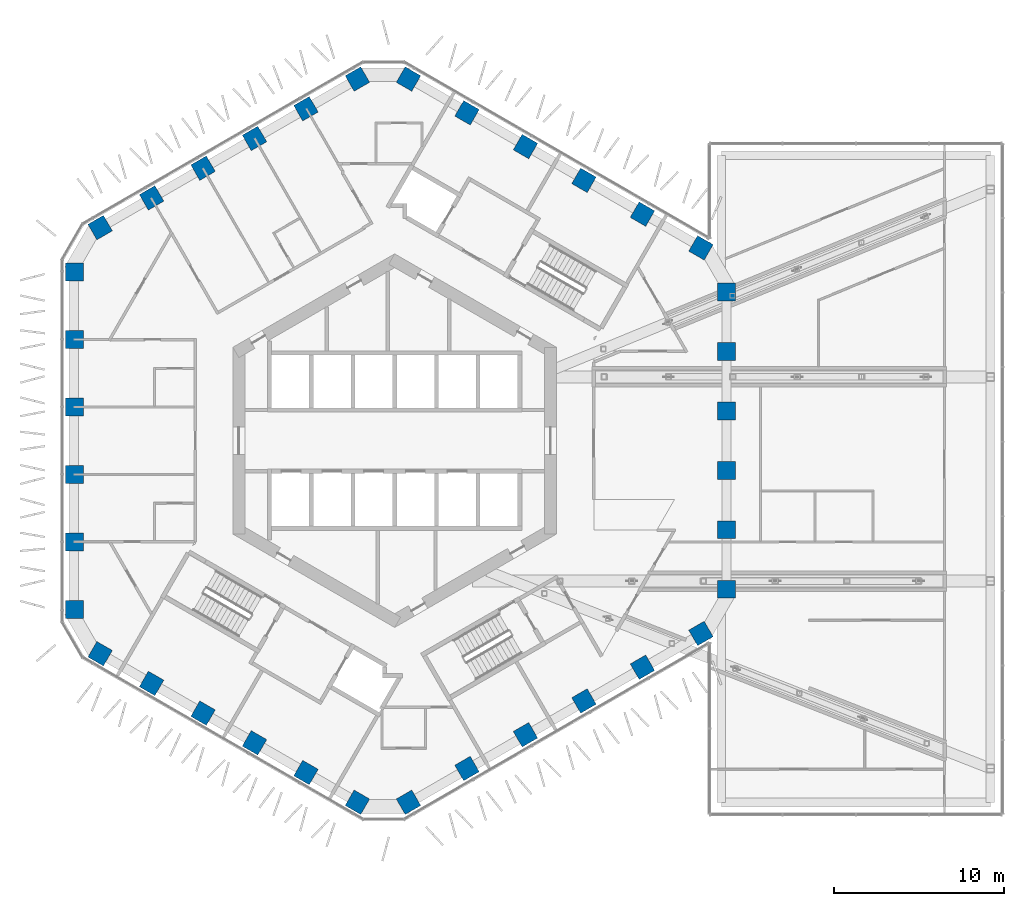
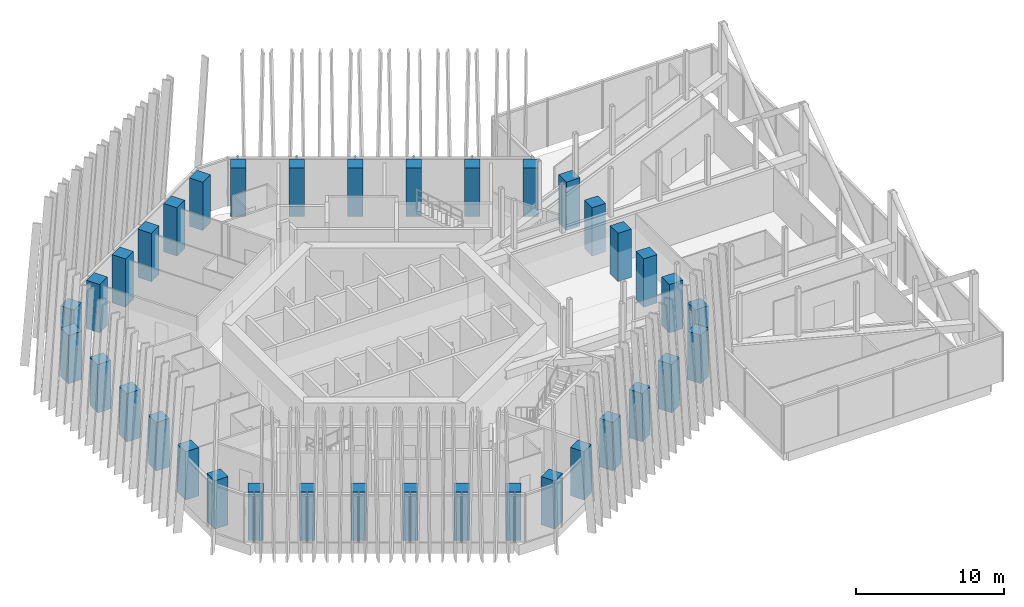
# One storey, part 1 of 28: 36 columns.
"""IFC4 building model written with IfcOpenShell, lengths in metres."""

from ifc_helpers import new_model, si_unit, direction, frame, origin, origin_2d, place, context, subcontext, project, spatial, rectangle, extrude, material, material_profile, profile_set, type_object, element, save


model = new_model("IFC4")

# Units and contexts
model_context = context("Model", 3, precision=1e-05, world=origin(), true_north=direction((0.0, 1.0)))
body_context = subcontext(model_context, "Body", "Model", "MODEL_VIEW")
ifc_project = project(units=[si_unit("LENGTHUNIT", "METRE"), si_unit("AREAUNIT", "SQUARE_METRE"), si_unit("VOLUMEUNIT", "CUBIC_METRE"), si_unit("PLANEANGLEUNIT", "RADIAN"), si_unit("MASSUNIT", "GRAM", prefix="KILO")], contexts=[model_context])

# Site, building, storey
site_placement = place(None, origin())
site = spatial("IfcSite", under=ifc_project, at=site_placement, CompositionType="ELEMENT")
building_placement = place(site_placement, origin())
building = spatial("IfcBuilding", under=site, at=building_placement, Name="Ayvan Gate Tower", CompositionType="ELEMENT")
storey_placement = place(building_placement, frame((0.0, 0.0, 120.5)))
storey = spatial("IfcBuildingStorey", under=building, at=storey_placement, Name="L32", CompositionType="ELEMENT", Elevation=120.5)

# Columns
ifc_material = material(Name="Concrete C60/75", Category="concrete")
ifc_material_profile = material_profile(ifc_material, rectangle(XDim=1.050048828125, YDim=1.050048828125, at=origin_2d()), Name="RC 1050x1050")
ifc_profile_set = profile_set([ifc_material_profile], Name="Concrete C60/75")
column_type = type_object("IfcColumnType", Name="Tube column RC 1050x1050 C60/75", PredefinedType="COLUMN", material=ifc_profile_set)
for number, where, z_axis, x_axis, name in (
    (1, (19.485595703125, -8.723876953125, 0.0), (0.0, 0.0, 1.0), (1.0, 0.0, 0.0), "C-T0-0-L32"),
    (2, (19.485595703125, -5.234375, 0.0), (0.0, 0.0, 1.0), (1.0, 0.0, 0.0), "C-T0-1-L32"),
    (3, (19.485595703125, -1.744873046875, 0.0), (0.0, 0.0, 1.0), (1.0, 0.0, 0.0), "C-T0-2-L32"),
    (4, (19.485595703125, 1.744873046875, 0.0), (0.0, 0.0, 1.0), (1.0, 0.0, 0.0), "C-T0-3-L32"),
    (5, (19.485595703125, 5.234375, 0.0), (0.0, 0.0, 1.0), (1.0, 0.0, 0.0), "C-T0-4-L32"),
    (6, (19.485595703125, 8.723876953125, 0.0), (0.0, 0.0, 1.0), (1.0, 0.0, 0.0), "C-T0-5-L32"),
    (7, (17.985595703125, 11.322021484375, 0.0), (0.0, 0.0, 1.0), (0.5, 0.866025403784, 0.0), "C-T1-0-L32"),
    (8, (14.551025390625, 13.304931640625, 0.0), (0.0, 0.0, 1.0), (0.5, 0.866025403784, 0.0), "C-T1-1-L32"),
    (9, (11.1162109375, 15.287841796875, 0.0), (0.0, 0.0, 1.0), (0.5, 0.866025403784, 0.0), "C-T1-2-L32"),
    (10, (7.681640625, 17.27099609375, 0.0), (0.0, 0.0, 1.0), (0.5, 0.866025403784, 0.0), "C-T1-3-L32"),
    (11, (4.246826171875, 19.25390625, 0.0), (0.0, 0.0, 1.0), (0.5, 0.866025403784, 0.0), "C-T1-4-L32"),
    (12, (0.812255859375, 21.23681640625, 0.0), (0.0, 0.0, 1.0), (0.5, 0.866025403784, 0.0), "C-T1-5-L32"),
    (13, (-2.187744140625, 21.23681640625, 0.0), (0.0, 0.0, 1.0), (-0.5, 0.866025403784, 0.0), "C-T2-0-L32"),
    (14, (-5.209716796875, 19.4921875, 0.0), (0.0, 0.0, 1.0), (-0.5, 0.866025403784, 0.0), "C-T2-1-L32"),
    (15, (-8.231689453125, 17.747314453125, 0.0), (0.0, 0.0, 1.0), (-0.5, 0.866025403784, 0.0), "C-T2-2-L32"),
    (16, (-11.25390625, 16.002685546875, 0.0), (0.0, 0.0, 1.0), (-0.5, 0.866025403784, 0.0), "C-T2-3-L32"),
    (17, (-14.27587890625, 14.2578125, 0.0), (0.0, 0.0, 1.0), (-0.5, 0.866025403784, 0.0), "C-T2-4-L32"),
    (18, (-17.2978515625, 12.51318359375, 0.0), (0.0, 0.0, 1.0), (-0.5, 0.866025403784, 0.0), "C-T2-5-L32"),
    (19, (-18.7978515625, 9.9150390625, 0.0), (0.0, 0.0, 1.0), (-1.0, 0.0, 0.0), "C-T3-0-L32"),
    (20, (-18.7978515625, 5.948974609375, 0.0), (0.0, 0.0, 1.0), (-1.0, 0.0, 0.0), "C-T3-1-L32"),
    (21, (-18.7978515625, 1.98291015625, 0.0), (0.0, 0.0, 1.0), (-1.0, 0.0, 0.0), "C-T3-2-L32"),
    (22, (-18.7978515625, -1.98291015625, 0.0), (0.0, 0.0, 1.0), (-1.0, 0.0, 0.0), "C-T3-3-L32"),
    (23, (-18.7978515625, -5.948974609375, 0.0), (0.0, 0.0, 1.0), (-1.0, 0.0, 0.0), "C-T3-4-L32"),
    (24, (-18.7978515625, -9.9150390625, 0.0), (0.0, 0.0, 1.0), (-1.0, 0.0, 0.0), "C-T3-5-L32"),
    (25, (-17.2978515625, -12.51318359375, 0.0), (0.0, 0.0, 1.0), (-0.5, -0.866025403784, 0.0), "C-T4-0-L32"),
    (26, (-14.27587890625, -14.2578125, 0.0), (0.0, 0.0, 1.0), (-0.5, -0.866025403784, 0.0), "C-T4-1-L32"),
    (27, (-11.25390625, -16.002685546875, 0.0), (0.0, 0.0, 1.0), (-0.5, -0.866025403784, 0.0), "C-T4-2-L32"),
    (28, (-8.231689453125, -17.747314453125, 0.0), (0.0, 0.0, 1.0), (-0.5, -0.866025403784, 0.0), "C-T4-3-L32"),
    (29, (-5.209716796875, -19.4921875, 0.0), (0.0, 0.0, 1.0), (-0.5, -0.866025403784, 0.0), "C-T4-4-L32"),
    (30, (-2.187744140625, -21.23681640625, 0.0), (0.0, 0.0, 1.0), (-0.5, -0.866025403784, 0.0), "C-T4-5-L32"),
    (31, (0.812255859375, -21.23681640625, 0.0), (0.0, 0.0, 1.0), (0.5, -0.866025403784, 0.0), "C-T5-0-L32"),
    (32, (4.246826171875, -19.25390625, 0.0), (0.0, 0.0, 1.0), (0.5, -0.866025403784, 0.0), "C-T5-1-L32"),
    (33, (7.681640625, -17.27099609375, 0.0), (0.0, 0.0, 1.0), (0.5, -0.866025403784, 0.0), "C-T5-2-L32"),
    (34, (11.1162109375, -15.287841796875, 0.0), (0.0, 0.0, 1.0), (0.5, -0.866025403784, 0.0), "C-T5-3-L32"),
    (35, (14.551025390625, -13.304931640625, 0.0), (0.0, 0.0, 1.0), (0.5, -0.866025403784, 0.0), "C-T5-4-L32"),
    (36, (17.985595703125, -11.322021484375, 0.0), (0.0, 0.0, 1.0), (0.5, -0.866025403784, 0.0), "C-T5-5-L32"),
):
    element("IfcColumn", number, at=place(storey_placement, frame(where, z_axis=z_axis, x_axis=x_axis)), inside=storey, type_object=column_type, Name=name, PredefinedType="COLUMN", context=body_context, shape_type="SweptSolid", body=[
        extrude(rectangle(XDim=1.050048828125, YDim=1.050048828125, at=origin_2d()), origin(), (0.0, 0.0, 1.0), 4.0),
    ])

save(model, "model.ifc")
